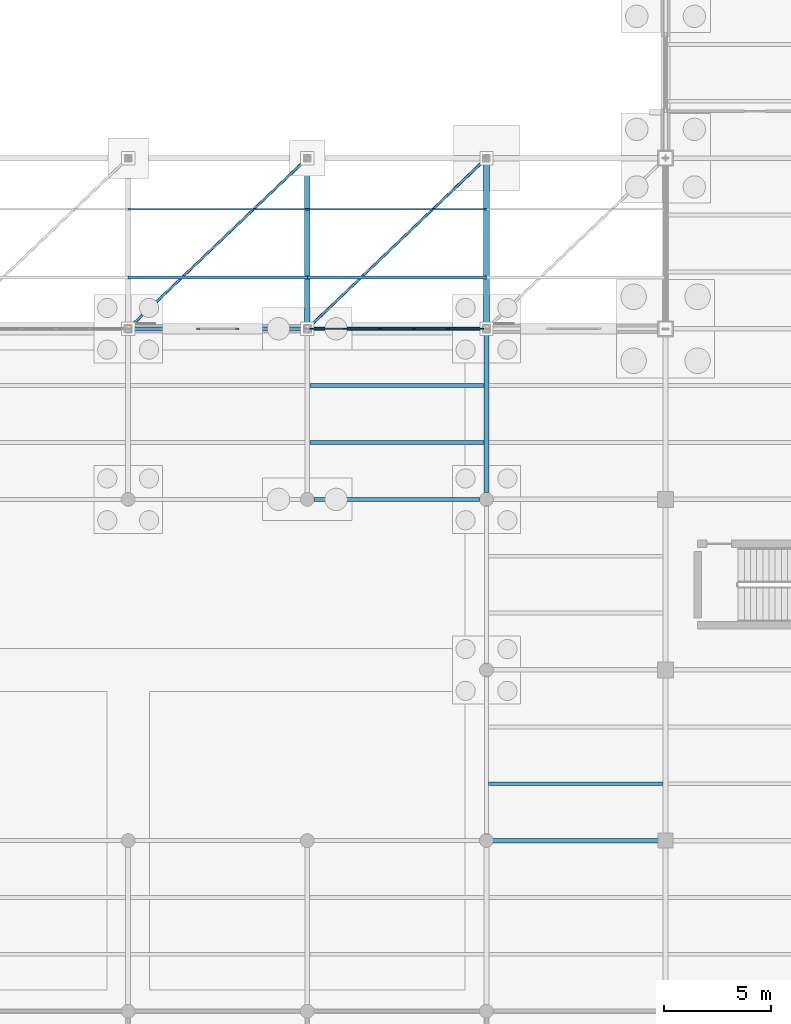
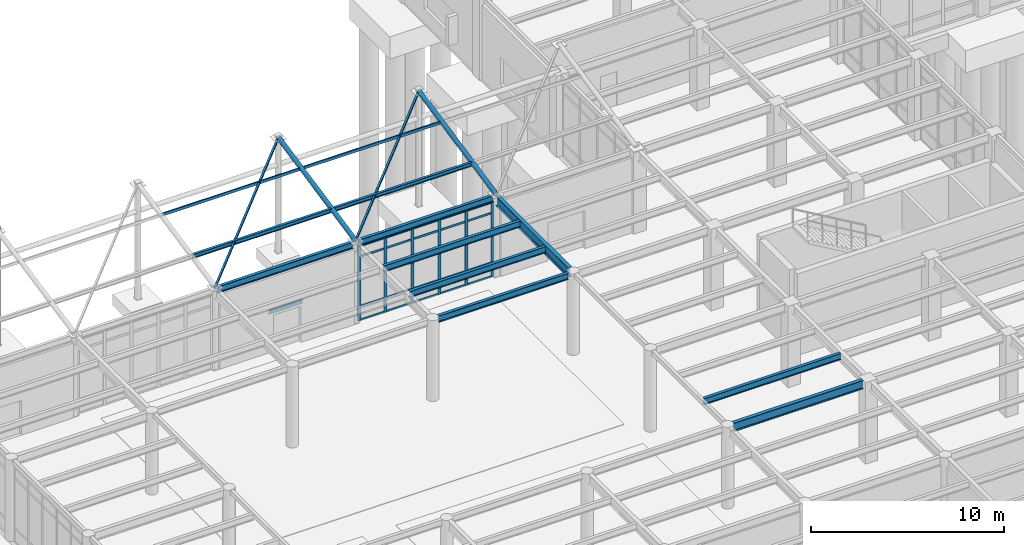
# One storey, part 45 of 138: 34 members, 9 beams, 1 element without a shape of its own.
"""IFC4 building model written with IfcOpenShell, lengths in metres."""

from ifc_helpers import new_model, si_unit, direction, frame, origin, origin_2d, place, context, subcontext, project, spatial, rectangle, hollow_rectangle, hollow_circle, i_section, u_section, extrude, material, layer, layer_set, material_profile, profile_set, type_object, element, aggregate, save


model = new_model("IFC4")

# Units and contexts
model_context = context("Model", 3, precision=1e-05, world=origin(), true_north=direction((0.0, 1.0)))
body_context = subcontext(model_context, "Body", "Model", "MODEL_VIEW")
ifc_project = project(units=[si_unit("LENGTHUNIT", "METRE"), si_unit("AREAUNIT", "SQUARE_METRE"), si_unit("VOLUMEUNIT", "CUBIC_METRE"), si_unit("PLANEANGLEUNIT", "RADIAN"), si_unit("MASSUNIT", "GRAM", prefix="KILO")], contexts=[model_context])

# Site, building, storey
site_placement = place(None, origin())
site = spatial("IfcSite", under=ifc_project, at=site_placement, CompositionType="ELEMENT")
building_placement = place(site_placement, origin())
building = spatial("IfcBuilding", under=site, at=building_placement, Name="Kranzveld Transit Interchange", CompositionType="ELEMENT")
storey_placement = place(building_placement, origin())
storey = spatial("IfcBuildingStorey", under=building, at=storey_placement, Name="L00", CompositionType="ELEMENT", Elevation=0.0)

# Members
ifc_material_1 = material(Name="Steel S355JR", Category="steel")
ifc_material_profile_1 = material_profile(ifc_material_1, hollow_rectangle(XDim=0.1201171875, YDim=0.1201171875, WallThickness=0.00634765625, InnerFilletRadius=0.009521484375, OuterFilletRadius=0.015869140625, at=origin_2d()), Name="SHS 120x120x6.3")
ifc_profile_set_1 = profile_set([ifc_material_profile_1], Name="Steel S355JR")
member_type_1 = type_object("IfcMemberType", Name="Canopy Brace SHS 120x120x6.3 S355JR", PredefinedType="BRACE", material=ifc_profile_set_1)
for number, where, z_axis, x_axis, name in (
    (1, (75.60009765625, 88.0, 5.10009765625), (0.716657489312, 0.682538877224, 0.143327331976), (-0.689659376744, 0.724133926887, 0.0), "Forecourt Canopy Plan Brace 10"),
    (2, (84.0, 88.0, 5.10009765625), (0.716657489312, 0.682538877224, 0.143327331976), (-0.689659376744, 0.724133926887, 0.0), "Forecourt Canopy Plan Brace 11"),
):
    element("IfcMember", number, at=place(storey_placement, frame(where, z_axis=z_axis, x_axis=x_axis)), inside=storey, type_object=member_type_1, Name=name, PredefinedType="BRACE", context=body_context, shape_type="SweptSolid", body=[
        extrude(hollow_rectangle(XDim=0.1201171875, YDim=0.1201171875, WallThickness=0.00634765625, InnerFilletRadius=0.009521484375, OuterFilletRadius=0.015869140625, at=origin_2d()), origin(), (0.0, 0.0, 1.0), 11.720947265625),
    ])
ifc_material_2 = material(Name="Steel S355JR", Category="steel")
ifc_material_profile_2 = material_profile(ifc_material_2, i_section(OverallWidth=0.146484375, OverallDepth=0.256103515625, WebThickness=0.00634765625, FlangeThickness=0.010986328125, FilletRadius=0.007568359375, at=origin_2d()), Name="UB 254x146x37")
ifc_profile_set_2 = profile_set([ifc_material_profile_2], Name="Steel S355JR")
member_type_2 = type_object("IfcMemberType", Name="Canopy Purlin UB 254x146x37 S355JR", PredefinedType="PURLIN", material=ifc_profile_set_2)
for number, where, z_axis, x_axis, name in (
    (3, (75.60009765625, 90.39990234375, 5.6240234375), (1.0, 0.0, 0.0), (0.0, 1.0, 0.0), "Forecourt Canopy Purlin 10.1"),
    (4, (84.0, 90.39990234375, 5.6240234375), (1.0, 0.0, 0.0), (0.0, 1.0, 0.0), "Forecourt Canopy Purlin 11.1"),
):
    element("IfcMember", number, at=place(storey_placement, frame(where, z_axis=z_axis, x_axis=x_axis)), inside=storey, type_object=member_type_2, Name=name, PredefinedType="PURLIN", context=body_context, shape_type="SweptSolid", body=[
        extrude(i_section(OverallWidth=0.146484375, OverallDepth=0.256103515625, WebThickness=0.00634765625, FlangeThickness=0.010986328125, FilletRadius=0.007568359375, at=origin_2d()), origin(), (0.0, 0.0, 1.0), 8.39990234375),
    ])
ifc_material_3 = material(Name="Steel S355JR", Category="steel")
ifc_material_profile_3 = material_profile(ifc_material_3, hollow_circle(Radius=0.136474609375, WallThickness=0.010009765625, at=origin_2d()), Name="CHS 273x10")
ifc_profile_set_3 = profile_set([ifc_material_profile_3], Name="Steel S355JR")
member_type_3 = type_object("IfcMemberType", Name="Canopy Raking Strut CHS 273x10 S355JR", PredefinedType="STRUT", material=ifc_profile_set_3)
for number, where, z_axis, x_axis, name in (
    (5, (84.0, 88.0, 5.139892578125), (0.0, 0.978649171378, 0.205537829511), (-1.0, 0.0, 0.0), "Forecourt Canopy Strut 11"),
    (6, (92.39990234375, 88.0, 5.139892578125), (0.0, 0.978649171378, 0.205537829511), (-1.0, 0.0, 0.0), "Forecourt Canopy Strut 12"),
):
    element("IfcMember", number, at=place(storey_placement, frame(where, z_axis=z_axis, x_axis=x_axis)), inside=storey, type_object=member_type_3, Name=name, PredefinedType="STRUT", context=body_context, shape_type="SweptSolid", body=[
        extrude(hollow_circle(Radius=0.136474609375, WallThickness=0.010009765625, at=origin_2d()), origin(), (0.0, 0.0, 1.0), 8.174560546875),
    ])

# Curtain wall, members
ifc_material_4 = material(Name="Bronze-anodised thermally broken aluminium", Category="aluminium")
ifc_layer = layer(ifc_material_4, 0.1650390625)
ifc_layer_set = layer_set([ifc_layer], Name="Bronze-anodised thermally broken aluminium")
curtain_wall_type = type_object("IfcCurtainWallType", Name="Sunny Court Arcade Curtain Wall CW-2", PredefinedType="USERDEFINED", material=ifc_layer_set)
curtain_wall_placement = place(storey_placement, origin())
curtain_wall = element("IfcCurtainWall", 7, at=curtain_wall_placement, inside=storey, type_object=curtain_wall_type, Name="L00 Curtain Wall 11/M-12/M", ObjectType="CURTAIN WALL", PredefinedType="USERDEFINED")
ifc_material_5 = material(Name="Bronze-anodised thermally broken aluminium", Category="aluminium")
ifc_material_profile_4 = material_profile(ifc_material_5, rectangle(XDim=0.06494140625, YDim=0.179931640625, at=origin_2d()), Name="ALU MULLION 65x180")
ifc_profile_set_4 = profile_set([ifc_material_profile_4], Name="Bronze-anodised thermally broken aluminium")
member_type_4 = type_object("IfcMemberType", Name="Curtain Wall Mullion 65x180 Alu", PredefinedType="MULLION", material=ifc_profile_set_4)
member_1_placement = place(storey_placement, frame((84.210205078125, 88.0, 0.0), z_axis=(0.0, 0.0, 1.0), x_axis=(0.0, 1.0, 0.0)))
member_1 = element("IfcMember", 8, at=member_1_placement, type_object=member_type_4, Name="CW-2 mullion 1", PredefinedType="MULLION", context=body_context, shape_type="SweptSolid", body=[
    extrude(rectangle(XDim=0.06494140625, YDim=0.179931640625, at=origin_2d()), origin(), (0.0, 0.0, 1.0), 4.740478515625),
])
member_2_placement = place(storey_placement, frame((85.78662109375, 88.0, 0.0), z_axis=(0.0, 0.0, 1.0), x_axis=(0.0, 1.0, 0.0)))
member_2 = element("IfcMember", 9, at=member_2_placement, type_object=member_type_4, Name="CW-2 mullion 2", PredefinedType="MULLION", context=body_context, shape_type="SweptSolid", body=[
    extrude(rectangle(XDim=0.06494140625, YDim=0.179931640625, at=origin_2d()), origin(), (0.0, 0.0, 1.0), 4.740478515625),
])
member_3_placement = place(storey_placement, frame((87.3955078125, 88.0, 0.0), z_axis=(0.0, 0.0, 1.0), x_axis=(0.0, 1.0, 0.0)))
member_3 = element("IfcMember", 10, at=member_3_placement, type_object=member_type_4, Name="CW-2 mullion 3", PredefinedType="MULLION", context=body_context, shape_type="SweptSolid", body=[
    extrude(rectangle(XDim=0.06494140625, YDim=0.179931640625, at=origin_2d()), origin(), (0.0, 0.0, 1.0), 4.740478515625),
])
member_4_placement = place(storey_placement, frame((89.00439453125, 88.0, 0.0), z_axis=(0.0, 0.0, 1.0), x_axis=(0.0, 1.0, 0.0)))
member_4 = element("IfcMember", 11, at=member_4_placement, type_object=member_type_4, Name="CW-2 mullion 4", PredefinedType="MULLION", context=body_context, shape_type="SweptSolid", body=[
    extrude(rectangle(XDim=0.06494140625, YDim=0.179931640625, at=origin_2d()), origin(), (0.0, 0.0, 1.0), 4.740478515625),
])
member_5_placement = place(storey_placement, frame((90.61328125, 88.0, 0.0), z_axis=(0.0, 0.0, 1.0), x_axis=(0.0, 1.0, 0.0)))
member_5 = element("IfcMember", 12, at=member_5_placement, type_object=member_type_4, Name="CW-2 mullion 5", PredefinedType="MULLION", context=body_context, shape_type="SweptSolid", body=[
    extrude(rectangle(XDim=0.06494140625, YDim=0.179931640625, at=origin_2d()), origin(), (0.0, 0.0, 1.0), 4.740478515625),
])
member_6_placement = place(storey_placement, frame((92.189697265625, 88.0, 0.0), z_axis=(0.0, 0.0, 1.0), x_axis=(0.0, 1.0, 0.0)))
member_6 = element("IfcMember", 13, at=member_6_placement, type_object=member_type_4, Name="CW-2 mullion 6", PredefinedType="MULLION", context=body_context, shape_type="SweptSolid", body=[
    extrude(rectangle(XDim=0.06494140625, YDim=0.179931640625, at=origin_2d()), origin(), (0.0, 0.0, 1.0), 4.740478515625),
])
ifc_material_6 = material(Name="Bronze-anodised thermally broken aluminium", Category="aluminium")
ifc_material_profile_5 = material_profile(ifc_material_6, rectangle(XDim=0.06005859375, YDim=0.125, at=origin_2d()), Name="ALU TRANSOM 60x125")
ifc_profile_set_5 = profile_set([ifc_material_profile_5], Name="Bronze-anodised thermally broken aluminium")
member_type_5 = type_object("IfcMemberType", Name="Curtain Wall Transom 60x125 Alu", PredefinedType="USERDEFINED", material=ifc_profile_set_5)
member_7_placement = place(storey_placement, frame((84.242919921875, 88.0, 0.030029296875), z_axis=(1.0, 0.0, 0.0), x_axis=(0.0, 1.0, 0.0)))
member_7 = element("IfcMember", 14, at=member_7_placement, type_object=member_type_5, Name="CW-2 transom 1.1", ObjectType="TRANSOM", PredefinedType="USERDEFINED", context=body_context, shape_type="SweptSolid", body=[
    extrude(rectangle(XDim=0.06005859375, YDim=0.125, at=origin_2d()), origin(), (0.0, 0.0, 1.0), 1.51123046875),
])
member_8_placement = place(storey_placement, frame((84.242919921875, 88.0, 0.89990234375), z_axis=(1.0, 0.0, 0.0), x_axis=(0.0, 1.0, 0.0)))
member_8 = element("IfcMember", 15, at=member_8_placement, type_object=member_type_5, Name="CW-2 transom 1.2", ObjectType="TRANSOM", PredefinedType="USERDEFINED", context=body_context, shape_type="SweptSolid", body=[
    extrude(rectangle(XDim=0.06005859375, YDim=0.125, at=origin_2d()), origin(), (0.0, 0.0, 1.0), 1.51123046875),
])
member_9_placement = place(storey_placement, frame((84.242919921875, 88.0, 4.04052734375), z_axis=(1.0, 0.0, 0.0), x_axis=(0.0, 1.0, 0.0)))
member_9 = element("IfcMember", 16, at=member_9_placement, type_object=member_type_5, Name="CW-2 transom 1.3", ObjectType="TRANSOM", PredefinedType="USERDEFINED", context=body_context, shape_type="SweptSolid", body=[
    extrude(rectangle(XDim=0.06005859375, YDim=0.125, at=origin_2d()), origin(), (0.0, 0.0, 1.0), 1.51123046875),
])
member_10_placement = place(storey_placement, frame((84.242919921875, 88.0, 4.710693359375), z_axis=(1.0, 0.0, 0.0), x_axis=(0.0, 1.0, 0.0)))
member_10 = element("IfcMember", 17, at=member_10_placement, type_object=member_type_5, Name="CW-2 transom 1.4", ObjectType="TRANSOM", PredefinedType="USERDEFINED", context=body_context, shape_type="SweptSolid", body=[
    extrude(rectangle(XDim=0.06005859375, YDim=0.125, at=origin_2d()), origin(), (0.0, 0.0, 1.0), 1.51123046875),
])
member_11_placement = place(storey_placement, frame((85.819091796875, 88.0, 0.030029296875), z_axis=(1.0, 0.0, 0.0), x_axis=(0.0, 1.0, 0.0)))
member_11 = element("IfcMember", 18, at=member_11_placement, type_object=member_type_5, Name="CW-2 transom 2.1", ObjectType="TRANSOM", PredefinedType="USERDEFINED", context=body_context, shape_type="SweptSolid", body=[
    extrude(rectangle(XDim=0.06005859375, YDim=0.125, at=origin_2d()), origin(), (0.0, 0.0, 1.0), 1.5439453125),
])
member_12_placement = place(storey_placement, frame((85.819091796875, 88.0, 0.89990234375), z_axis=(1.0, 0.0, 0.0), x_axis=(0.0, 1.0, 0.0)))
member_12 = element("IfcMember", 19, at=member_12_placement, type_object=member_type_5, Name="CW-2 transom 2.2", ObjectType="TRANSOM", PredefinedType="USERDEFINED", context=body_context, shape_type="SweptSolid", body=[
    extrude(rectangle(XDim=0.06005859375, YDim=0.125, at=origin_2d()), origin(), (0.0, 0.0, 1.0), 1.5439453125),
])
member_13_placement = place(storey_placement, frame((85.819091796875, 88.0, 4.04052734375), z_axis=(1.0, 0.0, 0.0), x_axis=(0.0, 1.0, 0.0)))
member_13 = element("IfcMember", 20, at=member_13_placement, type_object=member_type_5, Name="CW-2 transom 2.3", ObjectType="TRANSOM", PredefinedType="USERDEFINED", context=body_context, shape_type="SweptSolid", body=[
    extrude(rectangle(XDim=0.06005859375, YDim=0.125, at=origin_2d()), origin(), (0.0, 0.0, 1.0), 1.5439453125),
])
member_14_placement = place(storey_placement, frame((85.819091796875, 88.0, 4.710693359375), z_axis=(1.0, 0.0, 0.0), x_axis=(0.0, 1.0, 0.0)))
member_14 = element("IfcMember", 21, at=member_14_placement, type_object=member_type_5, Name="CW-2 transom 2.4", ObjectType="TRANSOM", PredefinedType="USERDEFINED", context=body_context, shape_type="SweptSolid", body=[
    extrude(rectangle(XDim=0.06005859375, YDim=0.125, at=origin_2d()), origin(), (0.0, 0.0, 1.0), 1.5439453125),
])
member_15_placement = place(storey_placement, frame((87.427978515625, 88.0, 0.030029296875), z_axis=(1.0, 0.0, 0.0), x_axis=(0.0, 1.0, 0.0)))
member_15 = element("IfcMember", 22, at=member_15_placement, type_object=member_type_5, Name="CW-2 transom 3.1", ObjectType="TRANSOM", PredefinedType="USERDEFINED", context=body_context, shape_type="SweptSolid", body=[
    extrude(rectangle(XDim=0.06005859375, YDim=0.125, at=origin_2d()), origin(), (0.0, 0.0, 1.0), 1.5439453125),
])
member_16_placement = place(storey_placement, frame((87.427978515625, 88.0, 0.89990234375), z_axis=(1.0, 0.0, 0.0), x_axis=(0.0, 1.0, 0.0)))
member_16 = element("IfcMember", 23, at=member_16_placement, type_object=member_type_5, Name="CW-2 transom 3.2", ObjectType="TRANSOM", PredefinedType="USERDEFINED", context=body_context, shape_type="SweptSolid", body=[
    extrude(rectangle(XDim=0.06005859375, YDim=0.125, at=origin_2d()), origin(), (0.0, 0.0, 1.0), 1.5439453125),
])
member_17_placement = place(storey_placement, frame((87.427978515625, 88.0, 4.04052734375), z_axis=(1.0, 0.0, 0.0), x_axis=(0.0, 1.0, 0.0)))
member_17 = element("IfcMember", 24, at=member_17_placement, type_object=member_type_5, Name="CW-2 transom 3.3", ObjectType="TRANSOM", PredefinedType="USERDEFINED", context=body_context, shape_type="SweptSolid", body=[
    extrude(rectangle(XDim=0.06005859375, YDim=0.125, at=origin_2d()), origin(), (0.0, 0.0, 1.0), 1.5439453125),
])
member_18_placement = place(storey_placement, frame((87.427978515625, 88.0, 4.710693359375), z_axis=(1.0, 0.0, 0.0), x_axis=(0.0, 1.0, 0.0)))
member_18 = element("IfcMember", 25, at=member_18_placement, type_object=member_type_5, Name="CW-2 transom 3.4", ObjectType="TRANSOM", PredefinedType="USERDEFINED", context=body_context, shape_type="SweptSolid", body=[
    extrude(rectangle(XDim=0.06005859375, YDim=0.125, at=origin_2d()), origin(), (0.0, 0.0, 1.0), 1.5439453125),
])
member_19_placement = place(storey_placement, frame((89.036865234375, 88.0, 0.030029296875), z_axis=(1.0, 0.0, 0.0), x_axis=(0.0, 1.0, 0.0)))
member_19 = element("IfcMember", 26, at=member_19_placement, type_object=member_type_5, Name="CW-2 transom 4.1", ObjectType="TRANSOM", PredefinedType="USERDEFINED", context=body_context, shape_type="SweptSolid", body=[
    extrude(rectangle(XDim=0.06005859375, YDim=0.125, at=origin_2d()), origin(), (0.0, 0.0, 1.0), 1.5439453125),
])
member_20_placement = place(storey_placement, frame((89.036865234375, 88.0, 0.89990234375), z_axis=(1.0, 0.0, 0.0), x_axis=(0.0, 1.0, 0.0)))
member_20 = element("IfcMember", 27, at=member_20_placement, type_object=member_type_5, Name="CW-2 transom 4.2", ObjectType="TRANSOM", PredefinedType="USERDEFINED", context=body_context, shape_type="SweptSolid", body=[
    extrude(rectangle(XDim=0.06005859375, YDim=0.125, at=origin_2d()), origin(), (0.0, 0.0, 1.0), 1.5439453125),
])
member_21_placement = place(storey_placement, frame((89.036865234375, 88.0, 4.04052734375), z_axis=(1.0, 0.0, 0.0), x_axis=(0.0, 1.0, 0.0)))
member_21 = element("IfcMember", 28, at=member_21_placement, type_object=member_type_5, Name="CW-2 transom 4.3", ObjectType="TRANSOM", PredefinedType="USERDEFINED", context=body_context, shape_type="SweptSolid", body=[
    extrude(rectangle(XDim=0.06005859375, YDim=0.125, at=origin_2d()), origin(), (0.0, 0.0, 1.0), 1.5439453125),
])
member_22_placement = place(storey_placement, frame((89.036865234375, 88.0, 4.710693359375), z_axis=(1.0, 0.0, 0.0), x_axis=(0.0, 1.0, 0.0)))
member_22 = element("IfcMember", 29, at=member_22_placement, type_object=member_type_5, Name="CW-2 transom 4.4", ObjectType="TRANSOM", PredefinedType="USERDEFINED", context=body_context, shape_type="SweptSolid", body=[
    extrude(rectangle(XDim=0.06005859375, YDim=0.125, at=origin_2d()), origin(), (0.0, 0.0, 1.0), 1.5439453125),
])
member_23_placement = place(storey_placement, frame((90.645751953125, 88.0, 0.030029296875), z_axis=(1.0, 0.0, 0.0), x_axis=(0.0, 1.0, 0.0)))
member_23 = element("IfcMember", 30, at=member_23_placement, type_object=member_type_5, Name="CW-2 transom 5.1", ObjectType="TRANSOM", PredefinedType="USERDEFINED", context=body_context, shape_type="SweptSolid", body=[
    extrude(rectangle(XDim=0.06005859375, YDim=0.125, at=origin_2d()), origin(), (0.0, 0.0, 1.0), 1.511474609375),
])
member_24_placement = place(storey_placement, frame((90.645751953125, 88.0, 0.89990234375), z_axis=(1.0, 0.0, 0.0), x_axis=(0.0, 1.0, 0.0)))
member_24 = element("IfcMember", 31, at=member_24_placement, type_object=member_type_5, Name="CW-2 transom 5.2", ObjectType="TRANSOM", PredefinedType="USERDEFINED", context=body_context, shape_type="SweptSolid", body=[
    extrude(rectangle(XDim=0.06005859375, YDim=0.125, at=origin_2d()), origin(), (0.0, 0.0, 1.0), 1.511474609375),
])
member_25_placement = place(storey_placement, frame((90.645751953125, 88.0, 4.04052734375), z_axis=(1.0, 0.0, 0.0), x_axis=(0.0, 1.0, 0.0)))
member_25 = element("IfcMember", 32, at=member_25_placement, type_object=member_type_5, Name="CW-2 transom 5.3", ObjectType="TRANSOM", PredefinedType="USERDEFINED", context=body_context, shape_type="SweptSolid", body=[
    extrude(rectangle(XDim=0.06005859375, YDim=0.125, at=origin_2d()), origin(), (0.0, 0.0, 1.0), 1.511474609375),
])
member_26_placement = place(storey_placement, frame((90.645751953125, 88.0, 4.710693359375), z_axis=(1.0, 0.0, 0.0), x_axis=(0.0, 1.0, 0.0)))
member_26 = element("IfcMember", 33, at=member_26_placement, type_object=member_type_5, Name="CW-2 transom 5.4", ObjectType="TRANSOM", PredefinedType="USERDEFINED", context=body_context, shape_type="SweptSolid", body=[
    extrude(rectangle(XDim=0.06005859375, YDim=0.125, at=origin_2d()), origin(), (0.0, 0.0, 1.0), 1.511474609375),
])
aggregate(curtain_wall, [member_1, member_2, member_3, member_4, member_5, member_6, member_7, member_8, member_9, member_10, member_11, member_12, member_13, member_14, member_15, member_16, member_17, member_18, member_19, member_20, member_21, member_22, member_23, member_24, member_25, member_26])

# Members
ifc_material_7 = material(Name="Steel S355JR", Category="steel")
ifc_material_profile_6 = material_profile(ifc_material_7, u_section(Depth=0.179931640625, FlangeWidth=0.070068359375, WebThickness=0.007080078125, FlangeThickness=0.010986328125, FilletRadius=0.010009765625, at=origin_2d()), Name="PFC 180x70x22")
ifc_profile_set_6 = profile_set([ifc_material_profile_6], Name="Steel S355JR")
member_type_6 = type_object("IfcMemberType", Name="Eaves Purlin PFC 180x70x22 S355JR", PredefinedType="PURLIN", material=ifc_profile_set_6)
for number, where, z_axis, x_axis, name in (
    (34, (75.60009765625, 93.60009765625, 6.2958984375), (1.0, 0.0, 0.0), (0.0, 1.0, 0.0), "Forecourt Canopy Purlin 10.2"),
    (35, (84.0, 93.60009765625, 6.2958984375), (1.0, 0.0, 0.0), (0.0, 1.0, 0.0), "Forecourt Canopy Purlin 11.2"),
):
    element("IfcMember", number, at=place(storey_placement, frame(where, z_axis=z_axis, x_axis=x_axis)), inside=storey, type_object=member_type_6, Name=name, PredefinedType="PURLIN", context=body_context, shape_type="SweptSolid", body=[
        extrude(u_section(Depth=0.179931640625, FlangeWidth=0.070068359375, WebThickness=0.007080078125, FlangeThickness=0.010986328125, FilletRadius=0.010009765625, at=origin_2d()), origin(), (0.0, 0.0, 1.0), 8.39990234375),
    ])

# Beams
ifc_material_8 = material(Name="Steel S355JR", Category="steel")
ifc_material_profile_7 = material_profile(ifc_material_8, i_section(OverallWidth=0.1787109375, OverallDepth=0.409423828125, WebThickness=0.0087890625, FlangeThickness=0.014404296875, FilletRadius=0.01025390625, at=origin_2d()), Name="UB 406x178x67")
ifc_profile_set_7 = profile_set([ifc_material_profile_7], Name="Steel S355JR")
beam_type_1 = type_object("IfcBeamType", Name="Facade Spandrel UB 406x178x67 S355JR", PredefinedType="SPANDREL", material=ifc_profile_set_7)
beam_1_placement = place(storey_placement, frame((84.31494140625, 80.0, 4.9453125), z_axis=(1.0, 0.0, 0.0), x_axis=(0.0, 1.0, 0.0)))
element("IfcBeam", 36, at=beam_1_placement, inside=storey, type_object=beam_type_1, Name="L00 Girder 11-12/L", PredefinedType="SPANDREL", context=body_context, shape_type="SweptSolid", body=[
    extrude(i_section(OverallWidth=0.1787109375, OverallDepth=0.409423828125, WebThickness=0.0087890625, FlangeThickness=0.014404296875, FilletRadius=0.01025390625, at=origin_2d()), origin(), (0.0, 0.0, 1.0), 7.77001953125),
])
for number, where, z_axis, x_axis, name in (
    (37, (75.767822265625, 88.0, 4.9453125), (1.0, 0.0, 0.0), (0.0, 1.0, 0.0), "L00 Girder 10-11/M"),
    (38, (84.167724609375, 88.0, 4.9453125), (1.0, 0.0, 0.0), (0.0, 1.0, 0.0), "L00 Girder 11-12/M"),
):
    element("IfcBeam", number, at=place(storey_placement, frame(where, z_axis=z_axis, x_axis=x_axis)), inside=storey, type_object=beam_type_1, Name=name, PredefinedType="SPANDREL", context=body_context, shape_type="SweptSolid", body=[
        extrude(i_section(OverallWidth=0.1787109375, OverallDepth=0.409423828125, WebThickness=0.0087890625, FlangeThickness=0.014404296875, FilletRadius=0.01025390625, at=origin_2d()), origin(), (0.0, 0.0, 1.0), 8.064453125),
    ])
ifc_material_9 = material(Name="Steel S355JR", Category="steel")
ifc_material_profile_8 = material_profile(ifc_material_9, i_section(OverallWidth=0.177734375, OverallDepth=0.402587890625, WebThickness=0.0078125, FlangeThickness=0.010986328125, FilletRadius=0.01025390625, at=origin_2d()), Name="UB 406x178x54")
ifc_profile_set_8 = profile_set([ifc_material_profile_8], Name="Steel S355JR")
beam_type_2 = type_object("IfcBeamType", Name="Floor Joist UB 406x178x54 S355JR", PredefinedType="JOIST", material=ifc_profile_set_8)
for number, where, z_axis, x_axis, name in (
    (39, (84.1162109375, 82.666748046875, 4.94873046875), (1.0, 0.0, 0.0), (0.0, 1.0, 0.0), "L00 Secondary Joist 11-12/L.1"),
    (40, (84.1162109375, 85.333251953125, 4.94873046875), (1.0, 0.0, 0.0), (0.0, 1.0, 0.0), "L00 Secondary Joist 11-12/L.2"),
):
    element("IfcBeam", number, at=place(storey_placement, frame(where, z_axis=z_axis, x_axis=x_axis)), inside=storey, type_object=beam_type_2, Name=name, PredefinedType="JOIST", context=body_context, shape_type="SweptSolid", body=[
        extrude(i_section(OverallWidth=0.177734375, OverallDepth=0.402587890625, WebThickness=0.0078125, FlangeThickness=0.010986328125, FilletRadius=0.01025390625, at=origin_2d()), origin(), (0.0, 0.0, 1.0), 8.167724609375),
    ])
beam_2_placement = place(storey_placement, frame((92.501953125, 66.666748046875, 4.94873046875), z_axis=(1.0, 0.0, 0.0), x_axis=(0.0, 1.0, 0.0)))
element("IfcBeam", 41, at=beam_2_placement, inside=storey, type_object=beam_type_2, Name="L00 Secondary Joist 12-13/J.1", PredefinedType="JOIST", context=body_context, shape_type="SweptSolid", body=[
    extrude(i_section(OverallWidth=0.177734375, OverallDepth=0.402587890625, WebThickness=0.0078125, FlangeThickness=0.010986328125, FilletRadius=0.01025390625, at=origin_2d()), origin(), (0.0, 0.0, 1.0), 8.181884765625),
])
ifc_material_10 = material(Name="Steel S355JR", Category="steel")
ifc_material_profile_9 = material_profile(ifc_material_10, i_section(OverallWidth=0.2119140625, OverallDepth=0.54443359375, WebThickness=0.0126953125, FlangeThickness=0.021240234375, FilletRadius=0.0126953125, at=origin_2d()), Name="UB 533x210x122")
ifc_profile_set_9 = profile_set([ifc_material_profile_9], Name="Steel S355JR")
beam_type_3 = type_object("IfcBeamType", Name="Girder Steel UB 533x210x122 S355JR", PredefinedType="BEAM", material=ifc_profile_set_9)
beam_3_placement = place(storey_placement, frame((92.715087890625, 64.0, 4.877685546875), z_axis=(1.0, 0.0, 0.0), x_axis=(0.0, 1.0, 0.0)))
element("IfcBeam", 42, at=beam_3_placement, inside=storey, type_object=beam_type_3, Name="L00 Girder 12-13/J", PredefinedType="BEAM", context=body_context, shape_type="SweptSolid", body=[
    extrude(i_section(OverallWidth=0.2119140625, OverallDepth=0.54443359375, WebThickness=0.0126953125, FlangeThickness=0.021240234375, FilletRadius=0.0126953125, at=origin_2d()), origin(), (0.0, 0.0, 1.0), 7.744873046875),
])
ifc_material_11 = material(Name="Steel S355JR", Category="steel")
ifc_material_profile_10 = material_profile(ifc_material_11, i_section(OverallWidth=0.228271484375, OverallDepth=0.607666015625, WebThickness=0.010986328125, FlangeThickness=0.017333984375, FilletRadius=0.0126953125, at=origin_2d()), Name="UB 610x229x113")
ifc_profile_set_10 = profile_set([ifc_material_profile_10], Name="Steel S355JR")
beam_type_4 = type_object("IfcBeamType", Name="Girder Steel UB 610x229x113 S355JR", PredefinedType="BEAM", material=ifc_profile_set_10)
beam_4_placement = place(storey_placement, frame((92.39990234375, 80.31494140625, 4.84619140625), z_axis=(0.0, 1.0, 0.0), x_axis=(-1.0, 0.0, 0.0)))
element("IfcBeam", 43, at=beam_4_placement, inside=storey, type_object=beam_type_4, Name="L00 Girder 12/L-M", PredefinedType="BEAM", context=body_context, shape_type="SweptSolid", body=[
    extrude(i_section(OverallWidth=0.228271484375, OverallDepth=0.607666015625, WebThickness=0.010986328125, FlangeThickness=0.017333984375, FilletRadius=0.0126953125, at=origin_2d()), origin(), (0.0, 0.0, 1.0), 7.517333984375),
])
ifc_material_12 = material(Name="Steel S355JR", Category="steel")
ifc_material_profile_11 = material_profile(ifc_material_12, u_section(Depth=0.22998046875, FlangeWidth=0.090087890625, WebThickness=0.007568359375, FlangeThickness=0.013916015625, FilletRadius=0.011962890625, at=origin_2d()), Name="PFC 230x90x32")
ifc_profile_set_11 = profile_set([ifc_material_profile_11], Name="Steel S355JR")
beam_type_5 = type_object("IfcBeamType", Name="Masonry Lintel PFC 230x90x32 S355JR", PredefinedType="LINTEL", material=ifc_profile_set_11)
beam_5_placement = place(storey_placement, frame((78.794921875, 88.0, 2.419921875), z_axis=(1.0, 0.0, 0.0), x_axis=(0.0, 1.0, 0.0)))
element("IfcBeam", 44, at=beam_5_placement, inside=storey, type_object=beam_type_5, Name="L00 Entrance Door Lintel 005", PredefinedType="LINTEL", context=body_context, shape_type="SweptSolid", body=[
    extrude(u_section(Depth=0.22998046875, FlangeWidth=0.090087890625, WebThickness=0.007568359375, FlangeThickness=0.013916015625, FilletRadius=0.011962890625, at=origin_2d()), origin(), (0.0, 0.0, 1.0), 2.010009765625),
])

save(model, "model.ifc")
